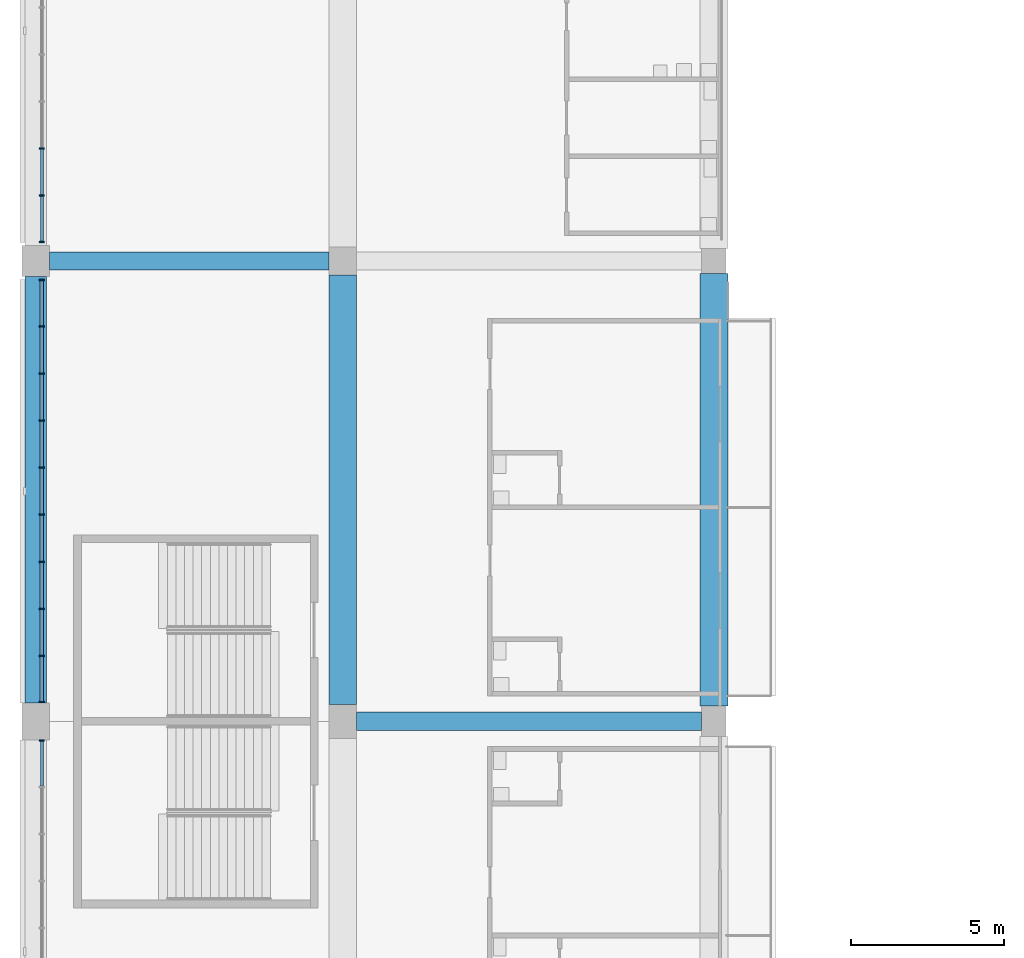
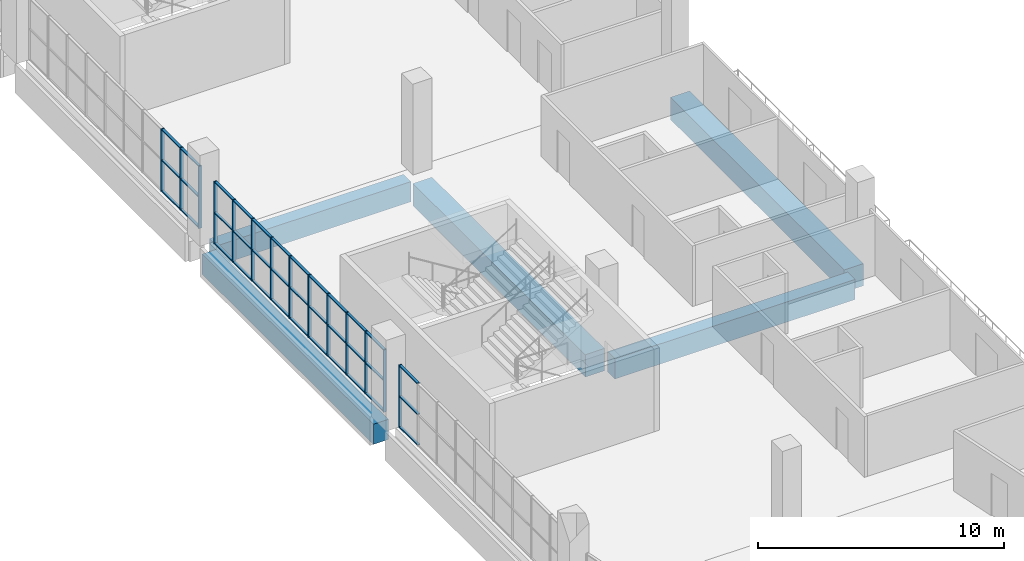
# One storey, part 17 of 199: 50 members, 5 beams, 3 elements without a shape of their own.
"""IFC4 building model written with IfcOpenShell, lengths in metres."""

from ifc_helpers import new_model, si_unit, direction, frame, origin, origin_2d, place, context, subcontext, project, spatial, rectangle, extrude, material, material_profile, profile_set, type_object, element, aggregate, save


model = new_model("IFC4")

# Units and contexts
model_context = context("Model", 3, precision=1e-05, world=origin(), true_north=direction((0.0, 1.0)))
body_context = subcontext(model_context, "Body", "Model", "MODEL_VIEW")
ifc_project = project(units=[si_unit("LENGTHUNIT", "METRE"), si_unit("AREAUNIT", "SQUARE_METRE"), si_unit("VOLUMEUNIT", "CUBIC_METRE"), si_unit("PLANEANGLEUNIT", "RADIAN"), si_unit("MASSUNIT", "GRAM", prefix="KILO")], contexts=[model_context])

# Site, building, storey
site_placement = place(None, origin())
site = spatial("IfcSite", under=ifc_project, at=site_placement, CompositionType="ELEMENT")
building_placement = place(site_placement, origin())
building = spatial("IfcBuilding", under=site, at=building_placement, Name="Ogive Plaza Stadium", CompositionType="ELEMENT")
storey_placement = place(building_placement, frame((0.0, 0.0, 9.0)))
storey = spatial("IfcBuildingStorey", under=building, at=storey_placement, Name="L02", CompositionType="ELEMENT", Elevation=9.0)

# Curtain wall, member
ifc_material_1 = material(Name="Bronze-anodised aluminium with laminated glass", Category="aluminium")
curtain_wall_type = type_object("IfcCurtainWallType", Name="Lancet curtain wall", PredefinedType="NOTDEFINED", material=ifc_material_1)
curtain_wall_1_placement = place(storey_placement, origin())
curtain_wall_1 = element("IfcCurtainWall", 1, at=curtain_wall_1_placement, inside=storey, type_object=curtain_wall_type, Name="CURTAIN WALL B21 L02", PredefinedType="NOTDEFINED")
ifc_material_2 = material(Name="Bronze-anodised aluminium", Category="aluminium")
ifc_material_profile_1 = material_profile(ifc_material_2, rectangle(XDim=0.14990234375, YDim=0.050048828125, at=origin_2d()), Name="AL 150x50")
ifc_profile_set_1 = profile_set([ifc_material_profile_1], Name="Bronze-anodised aluminium")
member_type_1 = type_object("IfcMemberType", Name="Curtain wall mullion 50x150", PredefinedType="MULLION", material=ifc_profile_set_1)
member_1_placement = place(storey_placement, frame((-83.800048828125, -38.125, 0.0), z_axis=(0.0, 0.0, 1.0), x_axis=(-1.0, 0.0, 0.0)))
member_1 = element("IfcMember", 2, at=member_1_placement, type_object=member_type_1, Name="CW-B21-L02 mullion 10", PredefinedType="MULLION", context=body_context, shape_type="SweptSolid", body=[
    extrude(rectangle(XDim=0.14990234375, YDim=0.050048828125, at=origin_2d()), origin(), (0.0, 0.0, 1.0), 3.090087890625),
])

# Curtain wall, members
curtain_wall_2_placement = place(storey_placement, origin())
curtain_wall_2 = element("IfcCurtainWall", 3, at=curtain_wall_2_placement, inside=storey, type_object=curtain_wall_type, Name="CURTAIN WALL B22 L02", PredefinedType="NOTDEFINED")
member_2_placement = place(storey_placement, frame((-83.800048828125, -36.875, 0.0), z_axis=(0.0, 0.0, 1.0), x_axis=(-1.0, 0.0, 0.0)))
member_2 = element("IfcMember", 4, at=member_2_placement, type_object=member_type_1, Name="CW-B22-L02 mullion 1", PredefinedType="MULLION", context=body_context, shape_type="SweptSolid", body=[
    extrude(rectangle(XDim=0.14990234375, YDim=0.050048828125, at=origin_2d()), origin(), (0.0, 0.0, 1.0), 3.090087890625),
])
member_3_placement = place(storey_placement, frame((-83.800048828125, -35.36669921875, 0.0), z_axis=(0.0, 0.0, 1.0), x_axis=(-1.0, 0.0, 0.0)))
member_3 = element("IfcMember", 5, at=member_3_placement, type_object=member_type_1, Name="CW-B22-L02 mullion 2", PredefinedType="MULLION", context=body_context, shape_type="SweptSolid", body=[
    extrude(rectangle(XDim=0.14990234375, YDim=0.050048828125, at=origin_2d()), origin(), (0.0, 0.0, 1.0), 3.090087890625),
])
member_4_placement = place(storey_placement, frame((-83.800048828125, -33.833251953125, 0.0), z_axis=(0.0, 0.0, 1.0), x_axis=(-1.0, 0.0, 0.0)))
member_4 = element("IfcMember", 6, at=member_4_placement, type_object=member_type_1, Name="CW-B22-L02 mullion 3", PredefinedType="MULLION", context=body_context, shape_type="SweptSolid", body=[
    extrude(rectangle(XDim=0.14990234375, YDim=0.050048828125, at=origin_2d()), origin(), (0.0, 0.0, 1.0), 3.090087890625),
])
member_5_placement = place(storey_placement, frame((-83.800048828125, -32.300048828125, 0.0), z_axis=(0.0, 0.0, 1.0), x_axis=(-1.0, 0.0, 0.0)))
member_5 = element("IfcMember", 7, at=member_5_placement, type_object=member_type_1, Name="CW-B22-L02 mullion 4", PredefinedType="MULLION", context=body_context, shape_type="SweptSolid", body=[
    extrude(rectangle(XDim=0.14990234375, YDim=0.050048828125, at=origin_2d()), origin(), (0.0, 0.0, 1.0), 3.090087890625),
])
member_6_placement = place(storey_placement, frame((-83.800048828125, -30.7666015625, 0.0), z_axis=(0.0, 0.0, 1.0), x_axis=(-1.0, 0.0, 0.0)))
member_6 = element("IfcMember", 8, at=member_6_placement, type_object=member_type_1, Name="CW-B22-L02 mullion 5", PredefinedType="MULLION", context=body_context, shape_type="SweptSolid", body=[
    extrude(rectangle(XDim=0.14990234375, YDim=0.050048828125, at=origin_2d()), origin(), (0.0, 0.0, 1.0), 3.090087890625),
])
member_7_placement = place(storey_placement, frame((-83.800048828125, -29.2333984375, 0.0), z_axis=(0.0, 0.0, 1.0), x_axis=(-1.0, 0.0, 0.0)))
member_7 = element("IfcMember", 9, at=member_7_placement, type_object=member_type_1, Name="CW-B22-L02 mullion 6", PredefinedType="MULLION", context=body_context, shape_type="SweptSolid", body=[
    extrude(rectangle(XDim=0.14990234375, YDim=0.050048828125, at=origin_2d()), origin(), (0.0, 0.0, 1.0), 3.090087890625),
])
member_8_placement = place(storey_placement, frame((-83.800048828125, -27.699951171875, 0.0), z_axis=(0.0, 0.0, 1.0), x_axis=(-1.0, 0.0, 0.0)))
member_8 = element("IfcMember", 10, at=member_8_placement, type_object=member_type_1, Name="CW-B22-L02 mullion 7", PredefinedType="MULLION", context=body_context, shape_type="SweptSolid", body=[
    extrude(rectangle(XDim=0.14990234375, YDim=0.050048828125, at=origin_2d()), origin(), (0.0, 0.0, 1.0), 3.090087890625),
])
member_9_placement = place(storey_placement, frame((-83.800048828125, -26.166748046875, 0.0), z_axis=(0.0, 0.0, 1.0), x_axis=(-1.0, 0.0, 0.0)))
member_9 = element("IfcMember", 11, at=member_9_placement, type_object=member_type_1, Name="CW-B22-L02 mullion 8", PredefinedType="MULLION", context=body_context, shape_type="SweptSolid", body=[
    extrude(rectangle(XDim=0.14990234375, YDim=0.050048828125, at=origin_2d()), origin(), (0.0, 0.0, 1.0), 3.090087890625),
])
member_10_placement = place(storey_placement, frame((-83.800048828125, -24.63330078125, 0.0), z_axis=(0.0, 0.0, 1.0), x_axis=(-1.0, 0.0, 0.0)))
member_10 = element("IfcMember", 12, at=member_10_placement, type_object=member_type_1, Name="CW-B22-L02 mullion 9", PredefinedType="MULLION", context=body_context, shape_type="SweptSolid", body=[
    extrude(rectangle(XDim=0.14990234375, YDim=0.050048828125, at=origin_2d()), origin(), (0.0, 0.0, 1.0), 3.090087890625),
])
member_11_placement = place(storey_placement, frame((-83.800048828125, -23.125, 0.0), z_axis=(0.0, 0.0, 1.0), x_axis=(-1.0, 0.0, 0.0)))
member_11 = element("IfcMember", 13, at=member_11_placement, type_object=member_type_1, Name="CW-B22-L02 mullion 10", PredefinedType="MULLION", context=body_context, shape_type="SweptSolid", body=[
    extrude(rectangle(XDim=0.14990234375, YDim=0.050048828125, at=origin_2d()), origin(), (0.0, 0.0, 1.0), 3.090087890625),
])

curtain_wall_3_placement = place(storey_placement, origin())
curtain_wall_3 = element("IfcCurtainWall", 14, at=curtain_wall_3_placement, inside=storey, type_object=curtain_wall_type, Name="CURTAIN WALL B23 L02", PredefinedType="NOTDEFINED")
member_12_placement = place(storey_placement, frame((-83.800048828125, -21.875, 0.0), z_axis=(0.0, 0.0, 1.0), x_axis=(-1.0, 0.0, 0.0)))
member_12 = element("IfcMember", 15, at=member_12_placement, type_object=member_type_1, Name="CW-B23-L02 mullion 1", PredefinedType="MULLION", context=body_context, shape_type="SweptSolid", body=[
    extrude(rectangle(XDim=0.14990234375, YDim=0.050048828125, at=origin_2d()), origin(), (0.0, 0.0, 1.0), 3.090087890625),
])
member_13_placement = place(storey_placement, frame((-83.800048828125, -20.36669921875, 0.0), z_axis=(0.0, 0.0, 1.0), x_axis=(-1.0, 0.0, 0.0)))
member_13 = element("IfcMember", 16, at=member_13_placement, type_object=member_type_1, Name="CW-B23-L02 mullion 2", PredefinedType="MULLION", context=body_context, shape_type="SweptSolid", body=[
    extrude(rectangle(XDim=0.14990234375, YDim=0.050048828125, at=origin_2d()), origin(), (0.0, 0.0, 1.0), 3.090087890625),
])
member_14_placement = place(storey_placement, frame((-83.800048828125, -18.833251953125, 0.0), z_axis=(0.0, 0.0, 1.0), x_axis=(-1.0, 0.0, 0.0)))
member_14 = element("IfcMember", 17, at=member_14_placement, type_object=member_type_1, Name="CW-B23-L02 mullion 3", PredefinedType="MULLION", context=body_context, shape_type="SweptSolid", body=[
    extrude(rectangle(XDim=0.14990234375, YDim=0.050048828125, at=origin_2d()), origin(), (0.0, 0.0, 1.0), 3.090087890625),
])

# Member
ifc_material_3 = material(Name="Bronze-anodised aluminium", Category="aluminium")
ifc_material_profile_2 = material_profile(ifc_material_3, rectangle(XDim=0.1201171875, YDim=0.050048828125, at=origin_2d()), Name="AL 120x50")
ifc_profile_set_2 = profile_set([ifc_material_profile_2], Name="Bronze-anodised aluminium")
member_type_2 = type_object("IfcMemberType", Name="Curtain wall transom 50x120", PredefinedType="USERDEFINED", material=ifc_profile_set_2)
member_15_placement = place(storey_placement, frame((-83.800048828125, -39.6083984375, 0.02490234375), z_axis=(0.0, 1.0, 0.0), x_axis=(-1.0, 0.0, 0.0)))
member_15 = element("IfcMember", 18, at=member_15_placement, type_object=member_type_2, Name="CW-B21-L02 transom 9.1", ObjectType="TRANSOM", PredefinedType="USERDEFINED", context=body_context, shape_type="SweptSolid", body=[
    extrude(rectangle(XDim=0.1201171875, YDim=0.050048828125, at=origin_2d()), origin(), (0.0, 0.0, 1.0), 1.45849609375),
])

member_16_placement = place(storey_placement, frame((-83.800048828125, -39.6083984375, 1.544921875), z_axis=(0.0, 1.0, 0.0), x_axis=(-1.0, 0.0, 0.0)))
member_16 = element("IfcMember", 19, at=member_16_placement, type_object=member_type_2, Name="CW-B21-L02 transom 9.2", ObjectType="TRANSOM", PredefinedType="USERDEFINED", context=body_context, shape_type="SweptSolid", body=[
    extrude(rectangle(XDim=0.1201171875, YDim=0.050048828125, at=origin_2d()), origin(), (0.0, 0.0, 1.0), 1.45849609375),
])

member_17_placement = place(storey_placement, frame((-83.800048828125, -39.6083984375, 3.06494140625), z_axis=(0.0, 1.0, 0.0), x_axis=(-1.0, 0.0, 0.0)))
member_17 = element("IfcMember", 20, at=member_17_placement, type_object=member_type_2, Name="CW-B21-L02 transom 9.3", ObjectType="TRANSOM", PredefinedType="USERDEFINED", context=body_context, shape_type="SweptSolid", body=[
    extrude(rectangle(XDim=0.1201171875, YDim=0.050048828125, at=origin_2d()), origin(), (0.0, 0.0, 1.0), 1.45849609375),
])

aggregate(curtain_wall_1, [member_1, member_15, member_16, member_17])

member_18_placement = place(storey_placement, frame((-83.800048828125, -36.85009765625, 0.02490234375), z_axis=(0.0, 1.0, 0.0), x_axis=(-1.0, 0.0, 0.0)))
member_18 = element("IfcMember", 21, at=member_18_placement, type_object=member_type_2, Name="CW-B22-L02 transom 1.1", ObjectType="TRANSOM", PredefinedType="USERDEFINED", context=body_context, shape_type="SweptSolid", body=[
    extrude(rectangle(XDim=0.1201171875, YDim=0.050048828125, at=origin_2d()), origin(), (0.0, 0.0, 1.0), 1.45849609375),
])

member_19_placement = place(storey_placement, frame((-83.800048828125, -36.85009765625, 1.544921875), z_axis=(0.0, 1.0, 0.0), x_axis=(-1.0, 0.0, 0.0)))
member_19 = element("IfcMember", 22, at=member_19_placement, type_object=member_type_2, Name="CW-B22-L02 transom 1.2", ObjectType="TRANSOM", PredefinedType="USERDEFINED", context=body_context, shape_type="SweptSolid", body=[
    extrude(rectangle(XDim=0.1201171875, YDim=0.050048828125, at=origin_2d()), origin(), (0.0, 0.0, 1.0), 1.45849609375),
])

member_20_placement = place(storey_placement, frame((-83.800048828125, -36.85009765625, 3.06494140625), z_axis=(0.0, 1.0, 0.0), x_axis=(-1.0, 0.0, 0.0)))
member_20 = element("IfcMember", 23, at=member_20_placement, type_object=member_type_2, Name="CW-B22-L02 transom 1.3", ObjectType="TRANSOM", PredefinedType="USERDEFINED", context=body_context, shape_type="SweptSolid", body=[
    extrude(rectangle(XDim=0.1201171875, YDim=0.050048828125, at=origin_2d()), origin(), (0.0, 0.0, 1.0), 1.45849609375),
])

member_21_placement = place(storey_placement, frame((-83.800048828125, -35.341552734375, 0.02490234375), z_axis=(0.0, 1.0, 0.0), x_axis=(-1.0, 0.0, 0.0)))
member_21 = element("IfcMember", 24, at=member_21_placement, type_object=member_type_2, Name="CW-B22-L02 transom 2.1", ObjectType="TRANSOM", PredefinedType="USERDEFINED", context=body_context, shape_type="SweptSolid", body=[
    extrude(rectangle(XDim=0.1201171875, YDim=0.050048828125, at=origin_2d()), origin(), (0.0, 0.0, 1.0), 1.483154296875),
])

member_22_placement = place(storey_placement, frame((-83.800048828125, -35.341552734375, 1.544921875), z_axis=(0.0, 1.0, 0.0), x_axis=(-1.0, 0.0, 0.0)))
member_22 = element("IfcMember", 25, at=member_22_placement, type_object=member_type_2, Name="CW-B22-L02 transom 2.2", ObjectType="TRANSOM", PredefinedType="USERDEFINED", context=body_context, shape_type="SweptSolid", body=[
    extrude(rectangle(XDim=0.1201171875, YDim=0.050048828125, at=origin_2d()), origin(), (0.0, 0.0, 1.0), 1.483154296875),
])

member_23_placement = place(storey_placement, frame((-83.800048828125, -35.341552734375, 3.06494140625), z_axis=(0.0, 1.0, 0.0), x_axis=(-1.0, 0.0, 0.0)))
member_23 = element("IfcMember", 26, at=member_23_placement, type_object=member_type_2, Name="CW-B22-L02 transom 2.3", ObjectType="TRANSOM", PredefinedType="USERDEFINED", context=body_context, shape_type="SweptSolid", body=[
    extrude(rectangle(XDim=0.1201171875, YDim=0.050048828125, at=origin_2d()), origin(), (0.0, 0.0, 1.0), 1.483154296875),
])

member_24_placement = place(storey_placement, frame((-83.800048828125, -33.808349609375, 0.02490234375), z_axis=(0.0, 1.0, 0.0), x_axis=(-1.0, 0.0, 0.0)))
member_24 = element("IfcMember", 27, at=member_24_placement, type_object=member_type_2, Name="CW-B22-L02 transom 3.1", ObjectType="TRANSOM", PredefinedType="USERDEFINED", context=body_context, shape_type="SweptSolid", body=[
    extrude(rectangle(XDim=0.1201171875, YDim=0.050048828125, at=origin_2d()), origin(), (0.0, 0.0, 1.0), 1.4833984375),
])

member_25_placement = place(storey_placement, frame((-83.800048828125, -33.808349609375, 1.544921875), z_axis=(0.0, 1.0, 0.0), x_axis=(-1.0, 0.0, 0.0)))
member_25 = element("IfcMember", 28, at=member_25_placement, type_object=member_type_2, Name="CW-B22-L02 transom 3.2", ObjectType="TRANSOM", PredefinedType="USERDEFINED", context=body_context, shape_type="SweptSolid", body=[
    extrude(rectangle(XDim=0.1201171875, YDim=0.050048828125, at=origin_2d()), origin(), (0.0, 0.0, 1.0), 1.4833984375),
])

member_26_placement = place(storey_placement, frame((-83.800048828125, -33.808349609375, 3.06494140625), z_axis=(0.0, 1.0, 0.0), x_axis=(-1.0, 0.0, 0.0)))
member_26 = element("IfcMember", 29, at=member_26_placement, type_object=member_type_2, Name="CW-B22-L02 transom 3.3", ObjectType="TRANSOM", PredefinedType="USERDEFINED", context=body_context, shape_type="SweptSolid", body=[
    extrude(rectangle(XDim=0.1201171875, YDim=0.050048828125, at=origin_2d()), origin(), (0.0, 0.0, 1.0), 1.4833984375),
])

member_27_placement = place(storey_placement, frame((-83.800048828125, -32.27490234375, 0.02490234375), z_axis=(0.0, 1.0, 0.0), x_axis=(-1.0, 0.0, 0.0)))
member_27 = element("IfcMember", 30, at=member_27_placement, type_object=member_type_2, Name="CW-B22-L02 transom 4.1", ObjectType="TRANSOM", PredefinedType="USERDEFINED", context=body_context, shape_type="SweptSolid", body=[
    extrude(rectangle(XDim=0.1201171875, YDim=0.050048828125, at=origin_2d()), origin(), (0.0, 0.0, 1.0), 1.483154296875),
])

member_28_placement = place(storey_placement, frame((-83.800048828125, -32.27490234375, 1.544921875), z_axis=(0.0, 1.0, 0.0), x_axis=(-1.0, 0.0, 0.0)))
member_28 = element("IfcMember", 31, at=member_28_placement, type_object=member_type_2, Name="CW-B22-L02 transom 4.2", ObjectType="TRANSOM", PredefinedType="USERDEFINED", context=body_context, shape_type="SweptSolid", body=[
    extrude(rectangle(XDim=0.1201171875, YDim=0.050048828125, at=origin_2d()), origin(), (0.0, 0.0, 1.0), 1.483154296875),
])

member_29_placement = place(storey_placement, frame((-83.800048828125, -32.27490234375, 3.06494140625), z_axis=(0.0, 1.0, 0.0), x_axis=(-1.0, 0.0, 0.0)))
member_29 = element("IfcMember", 32, at=member_29_placement, type_object=member_type_2, Name="CW-B22-L02 transom 4.3", ObjectType="TRANSOM", PredefinedType="USERDEFINED", context=body_context, shape_type="SweptSolid", body=[
    extrude(rectangle(XDim=0.1201171875, YDim=0.050048828125, at=origin_2d()), origin(), (0.0, 0.0, 1.0), 1.483154296875),
])

member_30_placement = place(storey_placement, frame((-83.800048828125, -30.74169921875, 0.02490234375), z_axis=(0.0, 1.0, 0.0), x_axis=(-1.0, 0.0, 0.0)))
member_30 = element("IfcMember", 33, at=member_30_placement, type_object=member_type_2, Name="CW-B22-L02 transom 5.1", ObjectType="TRANSOM", PredefinedType="USERDEFINED", context=body_context, shape_type="SweptSolid", body=[
    extrude(rectangle(XDim=0.1201171875, YDim=0.050048828125, at=origin_2d()), origin(), (0.0, 0.0, 1.0), 1.4833984375),
])

member_31_placement = place(storey_placement, frame((-83.800048828125, -30.74169921875, 1.544921875), z_axis=(0.0, 1.0, 0.0), x_axis=(-1.0, 0.0, 0.0)))
member_31 = element("IfcMember", 34, at=member_31_placement, type_object=member_type_2, Name="CW-B22-L02 transom 5.2", ObjectType="TRANSOM", PredefinedType="USERDEFINED", context=body_context, shape_type="SweptSolid", body=[
    extrude(rectangle(XDim=0.1201171875, YDim=0.050048828125, at=origin_2d()), origin(), (0.0, 0.0, 1.0), 1.4833984375),
])

member_32_placement = place(storey_placement, frame((-83.800048828125, -30.74169921875, 3.06494140625), z_axis=(0.0, 1.0, 0.0), x_axis=(-1.0, 0.0, 0.0)))
member_32 = element("IfcMember", 35, at=member_32_placement, type_object=member_type_2, Name="CW-B22-L02 transom 5.3", ObjectType="TRANSOM", PredefinedType="USERDEFINED", context=body_context, shape_type="SweptSolid", body=[
    extrude(rectangle(XDim=0.1201171875, YDim=0.050048828125, at=origin_2d()), origin(), (0.0, 0.0, 1.0), 1.4833984375),
])

member_33_placement = place(storey_placement, frame((-83.800048828125, -29.208251953125, 0.02490234375), z_axis=(0.0, 1.0, 0.0), x_axis=(-1.0, 0.0, 0.0)))
member_33 = element("IfcMember", 36, at=member_33_placement, type_object=member_type_2, Name="CW-B22-L02 transom 6.1", ObjectType="TRANSOM", PredefinedType="USERDEFINED", context=body_context, shape_type="SweptSolid", body=[
    extrude(rectangle(XDim=0.1201171875, YDim=0.050048828125, at=origin_2d()), origin(), (0.0, 0.0, 1.0), 1.483154296875),
])

member_34_placement = place(storey_placement, frame((-83.800048828125, -29.208251953125, 1.544921875), z_axis=(0.0, 1.0, 0.0), x_axis=(-1.0, 0.0, 0.0)))
member_34 = element("IfcMember", 37, at=member_34_placement, type_object=member_type_2, Name="CW-B22-L02 transom 6.2", ObjectType="TRANSOM", PredefinedType="USERDEFINED", context=body_context, shape_type="SweptSolid", body=[
    extrude(rectangle(XDim=0.1201171875, YDim=0.050048828125, at=origin_2d()), origin(), (0.0, 0.0, 1.0), 1.483154296875),
])

member_35_placement = place(storey_placement, frame((-83.800048828125, -29.208251953125, 3.06494140625), z_axis=(0.0, 1.0, 0.0), x_axis=(-1.0, 0.0, 0.0)))
member_35 = element("IfcMember", 38, at=member_35_placement, type_object=member_type_2, Name="CW-B22-L02 transom 6.3", ObjectType="TRANSOM", PredefinedType="USERDEFINED", context=body_context, shape_type="SweptSolid", body=[
    extrude(rectangle(XDim=0.1201171875, YDim=0.050048828125, at=origin_2d()), origin(), (0.0, 0.0, 1.0), 1.483154296875),
])

member_36_placement = place(storey_placement, frame((-83.800048828125, -27.675048828125, 0.02490234375), z_axis=(0.0, 1.0, 0.0), x_axis=(-1.0, 0.0, 0.0)))
member_36 = element("IfcMember", 39, at=member_36_placement, type_object=member_type_2, Name="CW-B22-L02 transom 7.1", ObjectType="TRANSOM", PredefinedType="USERDEFINED", context=body_context, shape_type="SweptSolid", body=[
    extrude(rectangle(XDim=0.1201171875, YDim=0.050048828125, at=origin_2d()), origin(), (0.0, 0.0, 1.0), 1.4833984375),
])

member_37_placement = place(storey_placement, frame((-83.800048828125, -27.675048828125, 1.544921875), z_axis=(0.0, 1.0, 0.0), x_axis=(-1.0, 0.0, 0.0)))
member_37 = element("IfcMember", 40, at=member_37_placement, type_object=member_type_2, Name="CW-B22-L02 transom 7.2", ObjectType="TRANSOM", PredefinedType="USERDEFINED", context=body_context, shape_type="SweptSolid", body=[
    extrude(rectangle(XDim=0.1201171875, YDim=0.050048828125, at=origin_2d()), origin(), (0.0, 0.0, 1.0), 1.4833984375),
])

member_38_placement = place(storey_placement, frame((-83.800048828125, -27.675048828125, 3.06494140625), z_axis=(0.0, 1.0, 0.0), x_axis=(-1.0, 0.0, 0.0)))
member_38 = element("IfcMember", 41, at=member_38_placement, type_object=member_type_2, Name="CW-B22-L02 transom 7.3", ObjectType="TRANSOM", PredefinedType="USERDEFINED", context=body_context, shape_type="SweptSolid", body=[
    extrude(rectangle(XDim=0.1201171875, YDim=0.050048828125, at=origin_2d()), origin(), (0.0, 0.0, 1.0), 1.4833984375),
])

member_39_placement = place(storey_placement, frame((-83.800048828125, -26.1416015625, 0.02490234375), z_axis=(0.0, 1.0, 0.0), x_axis=(-1.0, 0.0, 0.0)))
member_39 = element("IfcMember", 42, at=member_39_placement, type_object=member_type_2, Name="CW-B22-L02 transom 8.1", ObjectType="TRANSOM", PredefinedType="USERDEFINED", context=body_context, shape_type="SweptSolid", body=[
    extrude(rectangle(XDim=0.1201171875, YDim=0.050048828125, at=origin_2d()), origin(), (0.0, 0.0, 1.0), 1.483154296875),
])

member_40_placement = place(storey_placement, frame((-83.800048828125, -26.1416015625, 1.544921875), z_axis=(0.0, 1.0, 0.0), x_axis=(-1.0, 0.0, 0.0)))
member_40 = element("IfcMember", 43, at=member_40_placement, type_object=member_type_2, Name="CW-B22-L02 transom 8.2", ObjectType="TRANSOM", PredefinedType="USERDEFINED", context=body_context, shape_type="SweptSolid", body=[
    extrude(rectangle(XDim=0.1201171875, YDim=0.050048828125, at=origin_2d()), origin(), (0.0, 0.0, 1.0), 1.483154296875),
])

member_41_placement = place(storey_placement, frame((-83.800048828125, -26.1416015625, 3.06494140625), z_axis=(0.0, 1.0, 0.0), x_axis=(-1.0, 0.0, 0.0)))
member_41 = element("IfcMember", 44, at=member_41_placement, type_object=member_type_2, Name="CW-B22-L02 transom 8.3", ObjectType="TRANSOM", PredefinedType="USERDEFINED", context=body_context, shape_type="SweptSolid", body=[
    extrude(rectangle(XDim=0.1201171875, YDim=0.050048828125, at=origin_2d()), origin(), (0.0, 0.0, 1.0), 1.483154296875),
])

member_42_placement = place(storey_placement, frame((-83.800048828125, -24.6083984375, 0.02490234375), z_axis=(0.0, 1.0, 0.0), x_axis=(-1.0, 0.0, 0.0)))
member_42 = element("IfcMember", 45, at=member_42_placement, type_object=member_type_2, Name="CW-B22-L02 transom 9.1", ObjectType="TRANSOM", PredefinedType="USERDEFINED", context=body_context, shape_type="SweptSolid", body=[
    extrude(rectangle(XDim=0.1201171875, YDim=0.050048828125, at=origin_2d()), origin(), (0.0, 0.0, 1.0), 1.45849609375),
])

member_43_placement = place(storey_placement, frame((-83.800048828125, -24.6083984375, 1.544921875), z_axis=(0.0, 1.0, 0.0), x_axis=(-1.0, 0.0, 0.0)))
member_43 = element("IfcMember", 46, at=member_43_placement, type_object=member_type_2, Name="CW-B22-L02 transom 9.2", ObjectType="TRANSOM", PredefinedType="USERDEFINED", context=body_context, shape_type="SweptSolid", body=[
    extrude(rectangle(XDim=0.1201171875, YDim=0.050048828125, at=origin_2d()), origin(), (0.0, 0.0, 1.0), 1.45849609375),
])

member_44_placement = place(storey_placement, frame((-83.800048828125, -24.6083984375, 3.06494140625), z_axis=(0.0, 1.0, 0.0), x_axis=(-1.0, 0.0, 0.0)))
member_44 = element("IfcMember", 47, at=member_44_placement, type_object=member_type_2, Name="CW-B22-L02 transom 9.3", ObjectType="TRANSOM", PredefinedType="USERDEFINED", context=body_context, shape_type="SweptSolid", body=[
    extrude(rectangle(XDim=0.1201171875, YDim=0.050048828125, at=origin_2d()), origin(), (0.0, 0.0, 1.0), 1.45849609375),
])

aggregate(curtain_wall_2, [member_2, member_3, member_4, member_5, member_6, member_7, member_8, member_9, member_10, member_11, member_18, member_19, member_20, member_21, member_22, member_23, member_24, member_25, member_26, member_27, member_28, member_29, member_30, member_31, member_32, member_33, member_34, member_35, member_36, member_37, member_38, member_39, member_40, member_41, member_42, member_43, member_44])

member_45_placement = place(storey_placement, frame((-83.800048828125, -21.85009765625, 0.02490234375), z_axis=(0.0, 1.0, 0.0), x_axis=(-1.0, 0.0, 0.0)))
member_45 = element("IfcMember", 48, at=member_45_placement, type_object=member_type_2, Name="CW-B23-L02 transom 1.1", ObjectType="TRANSOM", PredefinedType="USERDEFINED", context=body_context, shape_type="SweptSolid", body=[
    extrude(rectangle(XDim=0.1201171875, YDim=0.050048828125, at=origin_2d()), origin(), (0.0, 0.0, 1.0), 1.45849609375),
])

member_46_placement = place(storey_placement, frame((-83.800048828125, -21.85009765625, 1.544921875), z_axis=(0.0, 1.0, 0.0), x_axis=(-1.0, 0.0, 0.0)))
member_46 = element("IfcMember", 49, at=member_46_placement, type_object=member_type_2, Name="CW-B23-L02 transom 1.2", ObjectType="TRANSOM", PredefinedType="USERDEFINED", context=body_context, shape_type="SweptSolid", body=[
    extrude(rectangle(XDim=0.1201171875, YDim=0.050048828125, at=origin_2d()), origin(), (0.0, 0.0, 1.0), 1.45849609375),
])

member_47_placement = place(storey_placement, frame((-83.800048828125, -21.85009765625, 3.06494140625), z_axis=(0.0, 1.0, 0.0), x_axis=(-1.0, 0.0, 0.0)))
member_47 = element("IfcMember", 50, at=member_47_placement, type_object=member_type_2, Name="CW-B23-L02 transom 1.3", ObjectType="TRANSOM", PredefinedType="USERDEFINED", context=body_context, shape_type="SweptSolid", body=[
    extrude(rectangle(XDim=0.1201171875, YDim=0.050048828125, at=origin_2d()), origin(), (0.0, 0.0, 1.0), 1.45849609375),
])

member_48_placement = place(storey_placement, frame((-83.800048828125, -20.341552734375, 0.02490234375), z_axis=(0.0, 1.0, 0.0), x_axis=(-1.0, 0.0, 0.0)))
member_48 = element("IfcMember", 51, at=member_48_placement, type_object=member_type_2, Name="CW-B23-L02 transom 2.1", ObjectType="TRANSOM", PredefinedType="USERDEFINED", context=body_context, shape_type="SweptSolid", body=[
    extrude(rectangle(XDim=0.1201171875, YDim=0.050048828125, at=origin_2d()), origin(), (0.0, 0.0, 1.0), 1.483154296875),
])

member_49_placement = place(storey_placement, frame((-83.800048828125, -20.341552734375, 1.544921875), z_axis=(0.0, 1.0, 0.0), x_axis=(-1.0, 0.0, 0.0)))
member_49 = element("IfcMember", 52, at=member_49_placement, type_object=member_type_2, Name="CW-B23-L02 transom 2.2", ObjectType="TRANSOM", PredefinedType="USERDEFINED", context=body_context, shape_type="SweptSolid", body=[
    extrude(rectangle(XDim=0.1201171875, YDim=0.050048828125, at=origin_2d()), origin(), (0.0, 0.0, 1.0), 1.483154296875),
])

member_50_placement = place(storey_placement, frame((-83.800048828125, -20.341552734375, 3.06494140625), z_axis=(0.0, 1.0, 0.0), x_axis=(-1.0, 0.0, 0.0)))
member_50 = element("IfcMember", 53, at=member_50_placement, type_object=member_type_2, Name="CW-B23-L02 transom 2.3", ObjectType="TRANSOM", PredefinedType="USERDEFINED", context=body_context, shape_type="SweptSolid", body=[
    extrude(rectangle(XDim=0.1201171875, YDim=0.050048828125, at=origin_2d()), origin(), (0.0, 0.0, 1.0), 1.483154296875),
])

aggregate(curtain_wall_3, [member_12, member_13, member_14, member_45, member_46, member_47, member_48, member_49, member_50])

# Beams
ifc_material_4 = material(Name="Concrete C40/50", Category="concrete")
ifc_material_profile_3 = material_profile(ifc_material_4, rectangle(XDim=0.60009765625, YDim=1.0, at=origin_2d()), Name="RC 600x1000")
ifc_profile_set_3 = profile_set([ifc_material_profile_3], Name="Concrete C40/50")
beam_type_1 = type_object("IfcBeamType", Name="RC radial beam 600x1000", PredefinedType="BEAM", material=ifc_profile_set_3)
beam_1_placement = place(storey_placement, frame((-62.300048828125, -37.5, -0.909912109375), z_axis=(-1.0, 0.0, 0.0), x_axis=(0.0, -1.0, 0.0)))
element("IfcBeam", 54, at=beam_1_placement, inside=storey, type_object=beam_type_1, Name="Radial beam L02 R22 F3F4", PredefinedType="BEAM", context=body_context, shape_type="SweptSolid", body=[
    extrude(rectangle(XDim=0.60009765625, YDim=1.0, at=origin_2d()), origin(), (0.0, 0.0, 1.0), 11.25),
])
beam_2_placement = place(storey_placement, frame((-74.449951171875, -22.5, -0.909912109375), z_axis=(-1.0, 0.0, 0.0), x_axis=(0.0, -1.0, 0.0)))
element("IfcBeam", 55, at=beam_2_placement, inside=storey, type_object=beam_type_1, Name="Radial beam L02 R23 F4F5", PredefinedType="BEAM", context=body_context, shape_type="SweptSolid", body=[
    extrude(rectangle(XDim=0.60009765625, YDim=1.0, at=origin_2d()), origin(), (0.0, 0.0, 1.0), 9.10009765625),
])
ifc_material_5 = material(Name="Concrete C40/50", Category="concrete")
ifc_material_profile_4 = material_profile(ifc_material_5, rectangle(XDim=0.89990234375, YDim=1.10009765625, at=origin_2d()), Name="RC 900x1100")
ifc_profile_set_4 = profile_set([ifc_material_profile_4], Name="Concrete C40/50")
beam_type_2 = type_object("IfcBeamType", Name="RC ring beam 900x1100", PredefinedType="BEAM", material=ifc_profile_set_4)
beam_3_placement = place(storey_placement, frame((-74.0, -36.949951171875, -0.9599609375), z_axis=(0.0, 1.0, 0.0), x_axis=(-1.0, 0.0, 0.0)))
element("IfcBeam", 56, at=beam_3_placement, inside=storey, type_object=beam_type_2, Name="Ring beam F4 L02 B22", PredefinedType="BEAM", context=body_context, shape_type="SweptSolid", body=[
    extrude(rectangle(XDim=0.89990234375, YDim=1.10009765625, at=origin_2d()), origin(), (0.0, 0.0, 1.0), 14.0),
])
beam_4_placement = place(storey_placement, frame((-61.89990234375, -37.0, -0.9599609375), z_axis=(0.0, 1.0, 0.0), x_axis=(-1.0, 0.0, 0.0)))
element("IfcBeam", 57, at=beam_4_placement, inside=storey, type_object=beam_type_2, Name="Ring beam F3 L02 B22", PredefinedType="BEAM", context=body_context, shape_type="SweptSolid", body=[
    extrude(rectangle(XDim=0.89990234375, YDim=1.10009765625, at=origin_2d()), origin(), (0.0, 0.0, 1.0), 14.10009765625),
])
ifc_material_6 = material(Name="Concrete C40/50", Category="concrete")
ifc_material_profile_5 = material_profile(ifc_material_6, rectangle(XDim=0.699951171875, YDim=1.0, at=origin_2d()), Name="RC 700x1000")
ifc_profile_set_5 = profile_set([ifc_material_profile_5], Name="Concrete C40/50")
beam_type_3 = type_object("IfcBeamType", Name="RC spandrel beam 700x1000", PredefinedType="SPANDREL", material=ifc_profile_set_5)
beam_5_placement = place(storey_placement, frame((-84.0, -36.89990234375, -0.909912109375), z_axis=(0.0, 1.0, 0.0), x_axis=(-1.0, 0.0, 0.0)))
element("IfcBeam", 58, at=beam_5_placement, inside=storey, type_object=beam_type_3, Name="Ring beam F5 L02 B22", PredefinedType="SPANDREL", context=body_context, shape_type="SweptSolid", body=[
    extrude(rectangle(XDim=0.699951171875, YDim=1.0, at=origin_2d()), origin(), (0.0, 0.0, 1.0), 13.89990234375),
])

save(model, "model.ifc")
